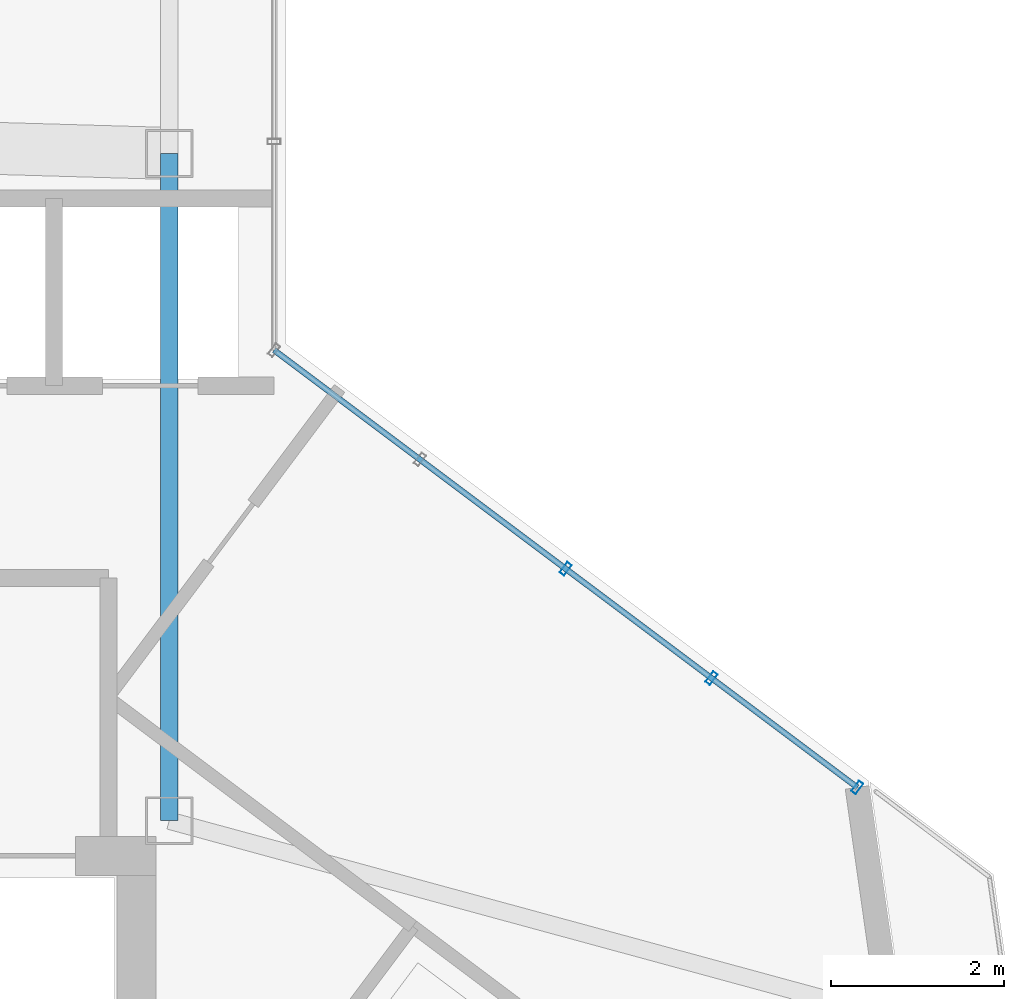
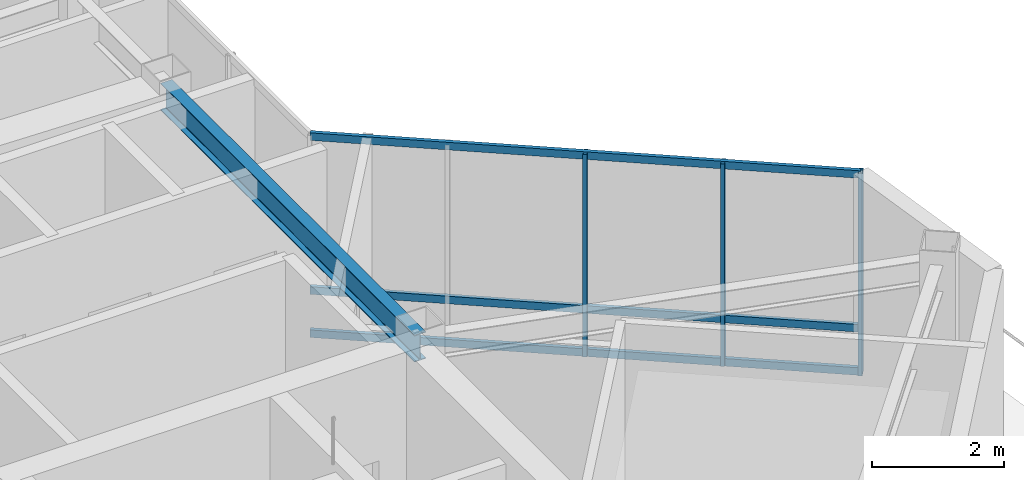
# One storey, part 11 of 23: 6 members, 1 beam, 1 element without a shape of its own.
"""IFC4 building model written with IfcOpenShell, lengths in metres."""

from ifc_helpers import new_model, si_unit, direction, frame, origin, origin_2d, place, context, subcontext, project, spatial, hollow_rectangle, i_section, extrude, material, layer, layer_set, material_profile, profile_set, type_object, element, aggregate, save


model = new_model("IFC4")

# Units and contexts
model_context = context("Model", 3, precision=1e-05, world=origin(), true_north=direction((0.0, 1.0)))
body_context = subcontext(model_context, "Body", "Model", "MODEL_VIEW")
ifc_project = project(units=[si_unit("LENGTHUNIT", "METRE"), si_unit("AREAUNIT", "SQUARE_METRE"), si_unit("VOLUMEUNIT", "CUBIC_METRE"), si_unit("PLANEANGLEUNIT", "RADIAN"), si_unit("MASSUNIT", "GRAM", prefix="KILO")], contexts=[model_context])

# Site, building, storey
site_placement = place(None, origin())
site = spatial("IfcSite", under=ifc_project, at=site_placement, CompositionType="ELEMENT")
building_placement = place(site_placement, origin())
building = spatial("IfcBuilding", under=site, at=building_placement, Name="Hatsunagi Terrace Concourse", CompositionType="ELEMENT")
storey_placement = place(building_placement, frame((0.0, 0.0, 281.949951171875)))
storey = spatial("IfcBuildingStorey", under=building, at=storey_placement, Name="L74", CompositionType="ELEMENT", Elevation=281.949951171875)

# Beam
ifc_material_1 = material(Name="Steel SN490B", Category="steel")
ifc_material_profile_1 = material_profile(ifc_material_1, i_section(OverallWidth=0.199951171875, OverallDepth=0.5, WebThickness=0.010009765625, FlangeThickness=0.01611328125, FilletRadius=0.01611328125, at=origin_2d()), Name="H-500x200x10x16")
ifc_profile_set_1 = profile_set([ifc_material_profile_1], Name="Steel SN490B")
beam_type = type_object("IfcBeamType", Name="CrownFloorGirder_H_500x200", PredefinedType="BEAM", material=ifc_profile_set_1)
beam_placement = place(storey_placement, frame((43.64990234375, 35.300048828125, 3.5), z_axis=(0.0, 1.0, 0.0), x_axis=(-1.0, 0.0, 0.0)))
element("IfcBeam", 1, at=beam_placement, inside=storey, type_object=beam_type, Name="Beam G-07 BM-L74-CBK3", PredefinedType="BEAM", context=body_context, shape_type="SweptSolid", body=[
    extrude(i_section(OverallWidth=0.199951171875, OverallDepth=0.5, WebThickness=0.010009765625, FlangeThickness=0.01611328125, FilletRadius=0.01611328125, at=origin_2d()), origin(), (0.0, 0.0, 1.0), 7.699951171875),
])

# Curtain wall, members
ifc_material_2 = material(Name="Anodised Aluminium Alloy 6063-T5", Category="aluminium")
ifc_layer = layer(ifc_material_2, 0.199951171875)
ifc_layer_set = layer_set([ifc_layer], Name="CrownWintergarden_CW06")
curtain_wall_type = type_object("IfcCurtainWallType", Name="CrownWintergarden_CW06", PredefinedType="NOTDEFINED", material=ifc_layer_set)
curtain_wall_placement = place(storey_placement, origin())
curtain_wall = element("IfcCurtainWall", 2, at=curtain_wall_placement, inside=storey, type_object=curtain_wall_type, Name="Unitised Curtain Wall CW-06 CW-L74-01", PredefinedType="NOTDEFINED")
ifc_material_3 = material(Name="Anodised Aluminium Alloy 6063-T5", Category="aluminium")
ifc_material_profile_2 = material_profile(ifc_material_3, hollow_rectangle(XDim=0.06494140625, YDim=0.14990234375, WallThickness=0.00390625, at=origin_2d()), Name="ALU-MUL-150x65x4")
ifc_profile_set_2 = profile_set([ifc_material_profile_2], Name="Anodised Aluminium Alloy 6063-T5")
member_type_1 = type_object("IfcMemberType", Name="CurtainWallMullion_Crown_150x65", PredefinedType="MULLION", material=ifc_profile_set_2)
member_1_placement = place(storey_placement, frame((48.22509765625, 38.2060546875, 0.0), z_axis=(0.0, 0.0, 1.0), x_axis=(0.800028248794, -0.599962333093, 0.0)))
member_1 = element("IfcMember", 3, at=member_1_placement, type_object=member_type_1, Name="Curtain Wall Mullion MUL-03", PredefinedType="MULLION", context=body_context, shape_type="SweptSolid", body=[
    extrude(hollow_rectangle(XDim=0.06494140625, YDim=0.14990234375, WallThickness=0.00390625, at=origin_2d()), origin(), (0.0, 0.0, 1.0), 3.75),
])
member_2_placement = place(storey_placement, frame((49.906982421875, 36.945068359375, 0.0), z_axis=(0.0, 0.0, 1.0), x_axis=(0.800028248794, -0.599962333093, 0.0)))
member_2 = element("IfcMember", 4, at=member_2_placement, type_object=member_type_1, Name="Curtain Wall Mullion MUL-03", PredefinedType="MULLION", context=body_context, shape_type="SweptSolid", body=[
    extrude(hollow_rectangle(XDim=0.06494140625, YDim=0.14990234375, WallThickness=0.00390625, at=origin_2d()), origin(), (0.0, 0.0, 1.0), 3.75),
])
member_3_placement = place(storey_placement, frame((51.590087890625, 35.68310546875, 0.0), z_axis=(0.0, 0.0, 1.0), x_axis=(0.800028248794, -0.599962333093, 0.0)))
member_3 = element("IfcMember", 5, at=member_3_placement, type_object=member_type_1, Name="Curtain Wall Mullion MUL-03", PredefinedType="MULLION", context=body_context, shape_type="SweptSolid", body=[
    extrude(hollow_rectangle(XDim=0.06494140625, YDim=0.14990234375, WallThickness=0.00390625, at=origin_2d()), origin(), (0.0, 0.0, 1.0), 3.75),
])
ifc_material_4 = material(Name="Anodised Aluminium Alloy 6063-T5", Category="aluminium")
ifc_material_profile_3 = material_profile(ifc_material_4, hollow_rectangle(XDim=0.06494140625, YDim=0.139892578125, WallThickness=0.00390625, at=origin_2d()), Name="ALU-TRN-140x65x4")
ifc_profile_set_3 = profile_set([ifc_material_profile_3], Name="Anodised Aluminium Alloy 6063-T5")
member_type_2 = type_object("IfcMemberType", Name="CurtainWallTransom_140x65", PredefinedType="USERDEFINED", material=ifc_profile_set_3)
member_4_placement = place(storey_placement, frame((44.860107421875, 40.72998046875, 0.050048828125), z_axis=(0.800034825678, -0.599953562955, 0.0), x_axis=(0.599953562955, 0.800034825678, 0.0)))
member_4 = element("IfcMember", 6, at=member_4_placement, type_object=member_type_2, Name="Curtain Wall Transom TRN-02", ObjectType="TRANSOM", PredefinedType="USERDEFINED", context=body_context, shape_type="SweptSolid", body=[
    extrude(hollow_rectangle(XDim=0.06494140625, YDim=0.139892578125, WallThickness=0.00390625, at=origin_2d()), origin(), (0.0, 0.0, 1.0), 8.412109375),
])
member_5_placement = place(storey_placement, frame((44.860107421875, 40.72998046875, 0.85009765625), z_axis=(0.800034825678, -0.599953562955, 0.0), x_axis=(0.599953562955, 0.800034825678, 0.0)))
member_5 = element("IfcMember", 7, at=member_5_placement, type_object=member_type_2, Name="Curtain Wall Transom TRN-02", ObjectType="TRANSOM", PredefinedType="USERDEFINED", context=body_context, shape_type="SweptSolid", body=[
    extrude(hollow_rectangle(XDim=0.06494140625, YDim=0.139892578125, WallThickness=0.00390625, at=origin_2d()), origin(), (0.0, 0.0, 1.0), 8.412109375),
])
member_6_placement = place(storey_placement, frame((44.860107421875, 40.72998046875, 3.699951171875), z_axis=(0.800034825678, -0.599953562955, 0.0), x_axis=(0.599953562955, 0.800034825678, 0.0)))
member_6 = element("IfcMember", 8, at=member_6_placement, type_object=member_type_2, Name="Curtain Wall Transom TRN-02", ObjectType="TRANSOM", PredefinedType="USERDEFINED", context=body_context, shape_type="SweptSolid", body=[
    extrude(hollow_rectangle(XDim=0.06494140625, YDim=0.139892578125, WallThickness=0.00390625, at=origin_2d()), origin(), (0.0, 0.0, 1.0), 8.412109375),
])
aggregate(curtain_wall, [member_1, member_2, member_3, member_4, member_5, member_6])

save(model, "model.ifc")
